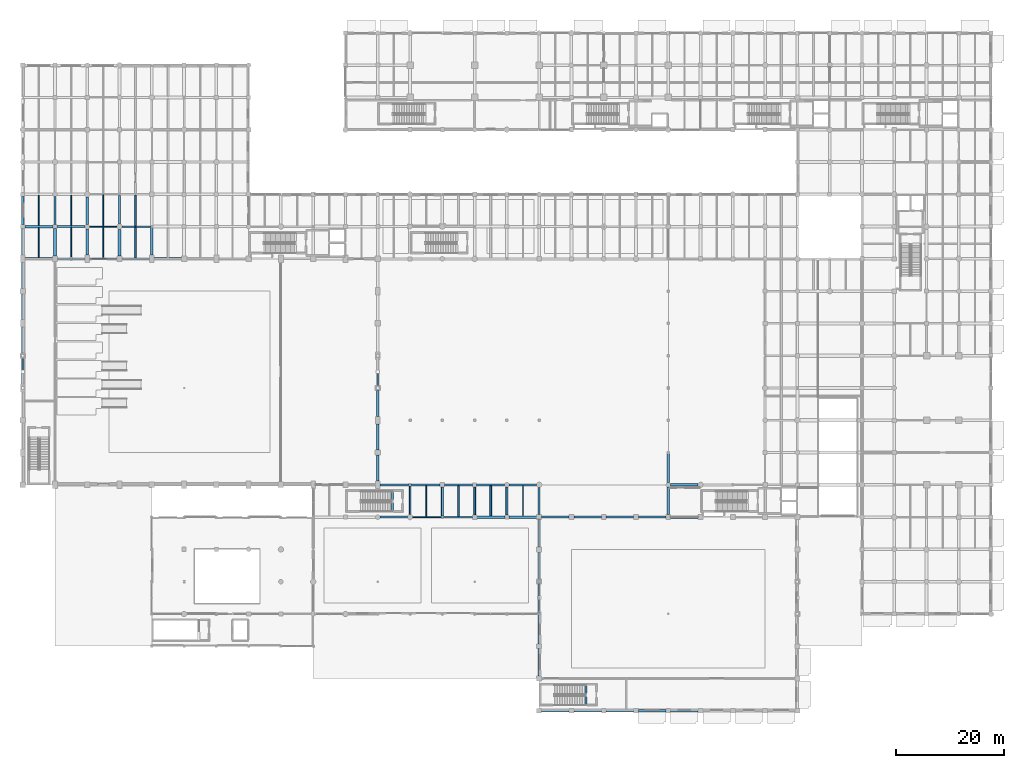
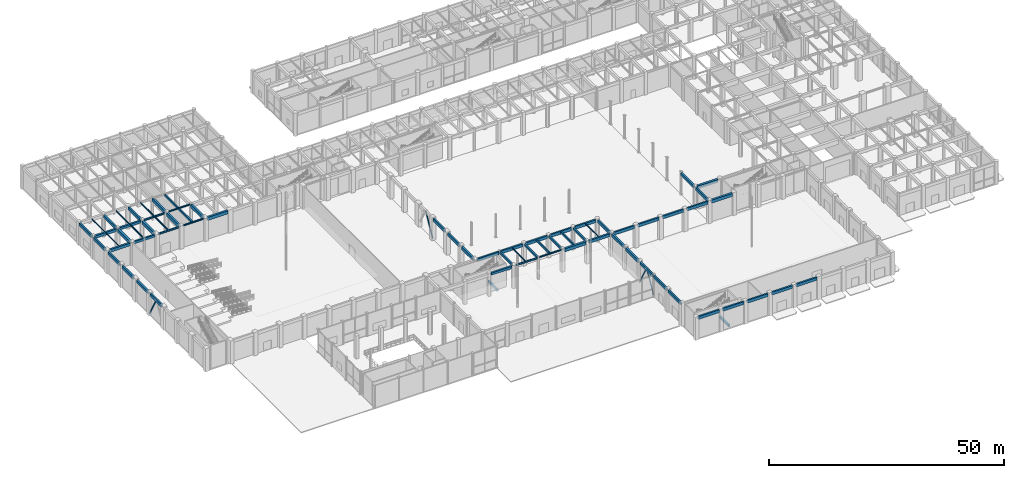
# One storey, part 31 of 106: 72 beams, 4 members.
"""IFC4 building model written with IfcOpenShell, lengths in metres."""

from ifc_helpers import new_model, si_unit, direction, frame, origin, origin_2d, place, context, subcontext, project, spatial, rectangle, hollow_rectangle, i_section, extrude, material, material_profile, profile_set, type_object, element, save


model = new_model("IFC4")

# Units and contexts
model_context = context("Model", 3, precision=1e-05, world=origin(), true_north=direction((0.0, 1.0)))
body_context = subcontext(model_context, "Body", "Model", "MODEL_VIEW")
ifc_project = project(units=[si_unit("LENGTHUNIT", "METRE"), si_unit("AREAUNIT", "SQUARE_METRE"), si_unit("VOLUMEUNIT", "CUBIC_METRE"), si_unit("PLANEANGLEUNIT", "RADIAN"), si_unit("MASSUNIT", "GRAM", prefix="KILO"), si_unit("THERMODYNAMICTEMPERATUREUNIT", "KELVIN"), si_unit("POWERUNIT", "WATT")], contexts=[model_context])

# Site, building, storey
site_placement = place(None, origin())
site = spatial("IfcSite", under=ifc_project, at=site_placement, CompositionType="ELEMENT")
building_placement = place(site_placement, origin())
building = spatial("IfcBuilding", under=site, at=building_placement, Name="Phaisarnlok Congress Hotel", CompositionType="ELEMENT")
storey_placement = place(building_placement, origin())
storey = spatial("IfcBuildingStorey", under=building, at=storey_placement, Name="L00", CompositionType="ELEMENT", Elevation=0.0)

# Beams
ifc_material_1 = material(Name="Concrete C40/50", Category="concrete")
ifc_material_profile_1 = material_profile(ifc_material_1, rectangle(XDim=0.35009765625, YDim=0.550048828125, at=origin_2d()), Name="RC 350x550")
ifc_profile_set_1 = profile_set([ifc_material_profile_1], Name="Concrete C40/50")
beam_type_1 = type_object("IfcBeamType", Name="BM-RC-350x550", PredefinedType="BEAM", material=ifc_profile_set_1)
beam_1_placement = place(storey_placement, frame((72.0, 36.4951171875, 5.465087890625), z_axis=(0.0, 1.0, 0.0), x_axis=(-1.0, 0.0, 0.0)))
element("IfcBeam", 1, at=beam_1_placement, inside=storey, type_object=beam_type_1, Name="Beam B-01", PredefinedType="BEAM", context=body_context, shape_type="SweptSolid", body=[
    extrude(rectangle(XDim=0.35009765625, YDim=0.550048828125, at=origin_2d()), origin(), (0.0, 0.0, 1.0), 5.310302734375),
])
beam_2_placement = place(storey_placement, frame((78.0, 36.194580078125, 5.465087890625), z_axis=(0.0, 1.0, 0.0), x_axis=(-1.0, 0.0, 0.0)))
element("IfcBeam", 2, at=beam_2_placement, inside=storey, type_object=beam_type_1, Name="Beam B-01", PredefinedType="BEAM", context=body_context, shape_type="SweptSolid", body=[
    extrude(rectangle(XDim=0.35009765625, YDim=0.550048828125, at=origin_2d()), origin(), (0.0, 0.0, 1.0), 5.410400390625),
])
beam_3_placement = place(storey_placement, frame((84.0, 36.39501953125, 5.465087890625), z_axis=(0.0, 1.0, 0.0), x_axis=(-1.0, 0.0, 0.0)))
element("IfcBeam", 3, at=beam_3_placement, inside=storey, type_object=beam_type_1, Name="Beam B-01", PredefinedType="BEAM", context=body_context, shape_type="SweptSolid", body=[
    extrude(rectangle(XDim=0.35009765625, YDim=0.550048828125, at=origin_2d()), origin(), (0.0, 0.0, 1.0), 5.23486328125),
])
beam_4_placement = place(storey_placement, frame((90.0, 36.3701171875, 5.465087890625), z_axis=(0.0, 1.0, 0.0), x_axis=(-1.0, 0.0, 0.0)))
element("IfcBeam", 4, at=beam_4_placement, inside=storey, type_object=beam_type_1, Name="Beam B-01", PredefinedType="BEAM", context=body_context, shape_type="SweptSolid", body=[
    extrude(rectangle(XDim=0.35009765625, YDim=0.550048828125, at=origin_2d()), origin(), (0.0, 0.0, 1.0), 5.2099609375),
])
ifc_material_profile_2 = material_profile(ifc_material_1, rectangle(XDim=0.39990234375, YDim=0.60009765625, at=origin_2d()), Name="RC 400x600")
ifc_profile_set_2 = profile_set([ifc_material_profile_2], Name="Concrete C40/50")
beam_type_2 = type_object("IfcBeamType", Name="BM-RC-400x600", PredefinedType="BEAM", material=ifc_profile_set_2)
beam_5_placement = place(storey_placement, frame((6.4951171875, 84.0, 5.43994140625), z_axis=(1.0, 0.0, 0.0), x_axis=(0.0, 1.0, 0.0)))
element("IfcBeam", 5, at=beam_5_placement, inside=storey, type_object=beam_type_2, Name="Beam B-02", PredefinedType="BEAM", context=body_context, shape_type="SweptSolid", body=[
    extrude(rectangle(XDim=0.39990234375, YDim=0.60009765625, at=origin_2d()), origin(), (0.0, 0.0, 1.0), 5.059814453125),
])
beam_6_placement = place(storey_placement, frame((6.3701171875, 90.0, 5.43994140625), z_axis=(1.0, 0.0, 0.0), x_axis=(0.0, 1.0, 0.0)))
element("IfcBeam", 6, at=beam_6_placement, inside=storey, type_object=beam_type_2, Name="Beam B-02", PredefinedType="BEAM", context=body_context, shape_type="SweptSolid", body=[
    extrude(rectangle(XDim=0.39990234375, YDim=0.60009765625, at=origin_2d()), origin(), (0.0, 0.0, 1.0), 5.2099609375),
])
beam_7_placement = place(storey_placement, frame((66.419921875, 36.0, 5.43994140625), z_axis=(1.0, 0.0, 0.0), x_axis=(0.0, 1.0, 0.0)))
element("IfcBeam", 7, at=beam_7_placement, inside=storey, type_object=beam_type_2, Name="Beam B-02", PredefinedType="BEAM", context=body_context, shape_type="SweptSolid", body=[
    extrude(rectangle(XDim=0.39990234375, YDim=0.60009765625, at=origin_2d()), origin(), (0.0, 0.0, 1.0), 5.0849609375),
])
for number, where, z_axis, x_axis, name in (
    (8, (68.719970703125, 37.080078125, -0.300048828125), (0.0, 1.0, 0.0), (-1.0, 0.0, 0.0), "Stair landing header beam B-02 (STAIR-POD-S L00)"),
    (9, (104.719970703125, 1.080078125, -0.300048828125), (0.0, 1.0, 0.0), (-1.0, 0.0, 0.0), "Stair landing header beam B-02 (STAIR-S L00)"),
):
    element("IfcBeam", number, at=place(storey_placement, frame(where, z_axis=z_axis, x_axis=x_axis)), inside=storey, type_object=beam_type_2, Name=name, PredefinedType="BEAM", context=body_context, shape_type="SweptSolid", body=[
        extrude(rectangle(XDim=0.39990234375, YDim=0.60009765625, at=origin_2d()), origin(), (0.0, 0.0, 1.0), 3.83984375),
    ])
ifc_material_profile_3 = material_profile(ifc_material_1, rectangle(XDim=0.449951171875, YDim=0.699951171875, at=origin_2d()), Name="RC 450x700")
ifc_profile_set_3 = profile_set([ifc_material_profile_3], Name="Concrete C40/50")
beam_type_3 = type_object("IfcBeamType", Name="BM-RC-450x700", PredefinedType="BEAM", material=ifc_profile_set_3)
beam_8_placement = place(storey_placement, frame((0.445068359375, 84.0, 5.389892578125), z_axis=(1.0, 0.0, 0.0), x_axis=(0.0, 1.0, 0.0)))
element("IfcBeam", 10, at=beam_8_placement, inside=storey, type_object=beam_type_3, Name="Beam B-03", PredefinedType="BEAM", context=body_context, shape_type="SweptSolid", body=[
    extrude(rectangle(XDim=0.449951171875, YDim=0.699951171875, at=origin_2d()), origin(), (0.0, 0.0, 1.0), 5.059814453125),
])
beam_9_placement = place(storey_placement, frame((0.39501953125, 90.0, 5.389892578125), z_axis=(1.0, 0.0, 0.0), x_axis=(0.0, 1.0, 0.0)))
element("IfcBeam", 11, at=beam_9_placement, inside=storey, type_object=beam_type_3, Name="Beam B-03", PredefinedType="BEAM", context=body_context, shape_type="SweptSolid", body=[
    extrude(rectangle(XDim=0.449951171875, YDim=0.699951171875, at=origin_2d()), origin(), (0.0, 0.0, 1.0), 5.23486328125),
])
beam_10_placement = place(storey_placement, frame((6.0, 90.3701171875, 5.389892578125), z_axis=(0.0, 1.0, 0.0), x_axis=(-1.0, 0.0, 0.0)))
element("IfcBeam", 12, at=beam_10_placement, inside=storey, type_object=beam_type_3, Name="Beam B-03", PredefinedType="BEAM", context=body_context, shape_type="SweptSolid", body=[
    extrude(rectangle(XDim=0.449951171875, YDim=0.699951171875, at=origin_2d()), origin(), (0.0, 0.0, 1.0), 5.2099609375),
])
beam_11_placement = place(storey_placement, frame((12.0, 90.419921875, 5.389892578125), z_axis=(0.0, 1.0, 0.0), x_axis=(-1.0, 0.0, 0.0)))
element("IfcBeam", 13, at=beam_11_placement, inside=storey, type_object=beam_type_3, Name="Beam B-03", PredefinedType="BEAM", context=body_context, shape_type="SweptSolid", body=[
    extrude(rectangle(XDim=0.449951171875, YDim=0.699951171875, at=origin_2d()), origin(), (0.0, 0.0, 1.0), 5.0849609375),
])
beam_12_placement = place(storey_placement, frame((18.0, 90.4951171875, 5.389892578125), z_axis=(0.0, 1.0, 0.0), x_axis=(-1.0, 0.0, 0.0)))
element("IfcBeam", 14, at=beam_12_placement, inside=storey, type_object=beam_type_3, Name="Beam B-03", PredefinedType="BEAM", context=body_context, shape_type="SweptSolid", body=[
    extrude(rectangle(XDim=0.449951171875, YDim=0.699951171875, at=origin_2d()), origin(), (0.0, 0.0, 1.0), 5.310302734375),
])
beam_13_placement = place(storey_placement, frame((90.3701171875, 36.0, 5.389892578125), z_axis=(1.0, 0.0, 0.0), x_axis=(0.0, 1.0, 0.0)))
element("IfcBeam", 15, at=beam_13_placement, inside=storey, type_object=beam_type_3, Name="Beam B-03", PredefinedType="BEAM", context=body_context, shape_type="SweptSolid", body=[
    extrude(rectangle(XDim=0.449951171875, YDim=0.699951171875, at=origin_2d()), origin(), (0.0, 0.0, 1.0), 5.184814453125),
])
beam_14_placement = place(storey_placement, frame((96.0, 30.445068359375, 5.389892578125), z_axis=(0.0, 1.0, 0.0), x_axis=(-1.0, 0.0, 0.0)))
element("IfcBeam", 16, at=beam_14_placement, inside=storey, type_object=beam_type_3, Name="Beam B-03", PredefinedType="BEAM", context=body_context, shape_type="SweptSolid", body=[
    extrude(rectangle(XDim=0.449951171875, YDim=0.699951171875, at=origin_2d()), origin(), (0.0, 0.0, 1.0), 5.10986328125),
])
ifc_material_profile_4 = material_profile(ifc_material_1, rectangle(XDim=0.5, YDim=0.800048828125, at=origin_2d()), Name="RC 500x800")
ifc_profile_set_4 = profile_set([ifc_material_profile_4], Name="Concrete C40/50")
beam_type_4 = type_object("IfcBeamType", Name="BM-RC-500x800", PredefinedType="BEAM", material=ifc_profile_set_4)
beam_15_placement = place(storey_placement, frame((6.0, 84.4951171875, 5.340087890625), z_axis=(0.0, 1.0, 0.0), x_axis=(-1.0, 0.0, 0.0)))
element("IfcBeam", 17, at=beam_15_placement, inside=storey, type_object=beam_type_4, Name="Beam B-04", PredefinedType="BEAM", context=body_context, shape_type="SweptSolid", body=[
    extrude(rectangle(XDim=0.5, YDim=0.800048828125, at=origin_2d()), origin(), (0.0, 0.0, 1.0), 5.134765625),
])
beam_16_placement = place(storey_placement, frame((12.0, 84.695068359375, 5.340087890625), z_axis=(0.0, 1.0, 0.0), x_axis=(-1.0, 0.0, 0.0)))
element("IfcBeam", 18, at=beam_16_placement, inside=storey, type_object=beam_type_4, Name="Beam B-04", PredefinedType="BEAM", context=body_context, shape_type="SweptSolid", body=[
    extrude(rectangle(XDim=0.5, YDim=0.800048828125, at=origin_2d()), origin(), (0.0, 0.0, 1.0), 4.885009765625),
])
beam_17_placement = place(storey_placement, frame((18.0, 84.4951171875, 5.340087890625), z_axis=(0.0, 1.0, 0.0), x_axis=(-1.0, 0.0, 0.0)))
element("IfcBeam", 19, at=beam_17_placement, inside=storey, type_object=beam_type_4, Name="Beam B-04", PredefinedType="BEAM", context=body_context, shape_type="SweptSolid", body=[
    extrude(rectangle(XDim=0.5, YDim=0.800048828125, at=origin_2d()), origin(), (0.0, 0.0, 1.0), 5.009765625),
])
beam_18_placement = place(storey_placement, frame((24.445068359375, 84.0, 5.340087890625), z_axis=(1.0, 0.0, 0.0), x_axis=(0.0, 1.0, 0.0)))
element("IfcBeam", 20, at=beam_18_placement, inside=storey, type_object=beam_type_4, Name="Beam B-04", PredefinedType="BEAM", context=body_context, shape_type="SweptSolid", body=[
    extrude(rectangle(XDim=0.5, YDim=0.800048828125, at=origin_2d()), origin(), (0.0, 0.0, 1.0), 5.059814453125),
])
beam_19_placement = place(storey_placement, frame((24.0, 84.695068359375, 5.340087890625), z_axis=(0.0, 1.0, 0.0), x_axis=(-1.0, 0.0, 0.0)))
element("IfcBeam", 21, at=beam_19_placement, inside=storey, type_object=beam_type_4, Name="Beam B-04", PredefinedType="BEAM", context=body_context, shape_type="SweptSolid", body=[
    extrude(rectangle(XDim=0.5, YDim=0.800048828125, at=origin_2d()), origin(), (0.0, 0.0, 1.0), 5.1103515625),
])
beam_20_placement = place(storey_placement, frame((84.39501953125, 36.0, 5.340087890625), z_axis=(1.0, 0.0, 0.0), x_axis=(0.0, 1.0, 0.0)))
element("IfcBeam", 22, at=beam_20_placement, inside=storey, type_object=beam_type_4, Name="Beam B-04", PredefinedType="BEAM", context=body_context, shape_type="SweptSolid", body=[
    extrude(rectangle(XDim=0.5, YDim=0.800048828125, at=origin_2d()), origin(), (0.0, 0.0, 1.0), 5.23486328125),
])
for number, where, z_axis, x_axis, name in (
    (23, (96.0, 24.445068359375, 5.340087890625), (0.0, 1.0, 0.0), (-1.0, 0.0, 0.0), "Beam B-04"),
    (24, (120.445068359375, 36.0, 5.340087890625), (1.0, 0.0, 0.0), (0.0, 1.0, 0.0), "Beam B-04"),
):
    element("IfcBeam", number, at=place(storey_placement, frame(where, z_axis=z_axis, x_axis=x_axis)), inside=storey, type_object=beam_type_4, Name=name, PredefinedType="BEAM", context=body_context, shape_type="SweptSolid", body=[
        extrude(rectangle(XDim=0.5, YDim=0.800048828125, at=origin_2d()), origin(), (0.0, 0.0, 1.0), 5.10986328125),
    ])
beam_21_placement = place(storey_placement, frame((120.419921875, 42.0, 5.360107421875), z_axis=(1.0, 0.0, 0.0), x_axis=(0.0, 1.0, 0.0)))
element("IfcBeam", 25, at=beam_21_placement, inside=storey, type_object=beam_type_4, Name="Beam B-04", PredefinedType="BEAM", context=body_context, shape_type="SweptSolid", body=[
    extrude(rectangle(XDim=0.5, YDim=0.800048828125, at=origin_2d()), origin(), (0.0, 0.0, 1.0), 5.0849609375),
])
ifc_material_2 = material(Name="Steel S355", Category="steel")
ifc_material_profile_5 = material_profile(ifc_material_2, i_section(OverallWidth=0.300048828125, OverallDepth=0.2900390625, WebThickness=0.008544921875, FlangeThickness=0.013916015625, FilletRadius=0.027099609375, at=origin_2d()), Name="HEA 300")
ifc_profile_set_5 = profile_set([ifc_material_profile_5], Name="Steel S355")
beam_type_5 = type_object("IfcBeamType", Name="BM-STL-HEA300", PredefinedType="BEAM", material=ifc_profile_set_5)
beam_22_placement = place(storey_placement, frame((18.4951171875, 84.0, 5.594970703125), z_axis=(1.0, 0.0, 0.0), x_axis=(0.0, 1.0, 0.0)))
element("IfcBeam", 26, at=beam_22_placement, inside=storey, type_object=beam_type_5, Name="Beam SB-05", PredefinedType="BEAM", context=body_context, shape_type="SweptSolid", body=[
    extrude(i_section(OverallWidth=0.300048828125, OverallDepth=0.2900390625, WebThickness=0.008544921875, FlangeThickness=0.013916015625, FilletRadius=0.027099609375, at=origin_2d()), origin(), (0.0, 0.0, 1.0), 5.059814453125),
])
beam_23_placement = place(storey_placement, frame((18.4951171875, 90.0, 5.594970703125), z_axis=(1.0, 0.0, 0.0), x_axis=(0.0, 1.0, 0.0)))
element("IfcBeam", 27, at=beam_23_placement, inside=storey, type_object=beam_type_5, Name="Beam SB-05", PredefinedType="BEAM", context=body_context, shape_type="SweptSolid", body=[
    extrude(i_section(OverallWidth=0.300048828125, OverallDepth=0.2900390625, WebThickness=0.008544921875, FlangeThickness=0.013916015625, FilletRadius=0.027099609375, at=origin_2d()), origin(), (0.0, 0.0, 1.0), 5.309326171875),
])
beam_24_placement = place(storey_placement, frame((78.195556640625, 36.0, 5.594970703125), z_axis=(1.0, 0.0, 0.0), x_axis=(0.0, 1.0, 0.0)))
element("IfcBeam", 28, at=beam_24_placement, inside=storey, type_object=beam_type_5, Name="Beam SB-05", PredefinedType="BEAM", context=body_context, shape_type="SweptSolid", body=[
    extrude(i_section(OverallWidth=0.300048828125, OverallDepth=0.2900390625, WebThickness=0.008544921875, FlangeThickness=0.013916015625, FilletRadius=0.027099609375, at=origin_2d()), origin(), (0.0, 0.0, 1.0), 5.409423828125),
])
ifc_material_profile_6 = material_profile(ifc_material_2, i_section(OverallWidth=0.18994140625, OverallDepth=0.449951171875, WebThickness=0.009521484375, FlangeThickness=0.0146484375, FilletRadius=0.02099609375, at=origin_2d()), Name="IPE 450")
ifc_profile_set_6 = profile_set([ifc_material_profile_6], Name="Steel S355")
beam_type_6 = type_object("IfcBeamType", Name="BM-STL-IPE450", PredefinedType="BEAM", material=ifc_profile_set_6)
beam_25_placement = place(storey_placement, frame((12.445068359375, 84.0, 5.514892578125), z_axis=(1.0, 0.0, 0.0), x_axis=(0.0, 1.0, 0.0)))
element("IfcBeam", 29, at=beam_25_placement, inside=storey, type_object=beam_type_6, Name="Beam SB-01", PredefinedType="BEAM", context=body_context, shape_type="SweptSolid", body=[
    extrude(i_section(OverallWidth=0.18994140625, OverallDepth=0.449951171875, WebThickness=0.009521484375, FlangeThickness=0.0146484375, FilletRadius=0.02099609375, at=origin_2d()), origin(), (0.0, 0.0, 1.0), 5.059814453125),
])
beam_26_placement = place(storey_placement, frame((12.419921875, 90.0, 5.514892578125), z_axis=(1.0, 0.0, 0.0), x_axis=(0.0, 1.0, 0.0)))
element("IfcBeam", 30, at=beam_26_placement, inside=storey, type_object=beam_type_6, Name="Beam SB-01", PredefinedType="BEAM", context=body_context, shape_type="SweptSolid", body=[
    extrude(i_section(OverallWidth=0.18994140625, OverallDepth=0.449951171875, WebThickness=0.009521484375, FlangeThickness=0.0146484375, FilletRadius=0.02099609375, at=origin_2d()), origin(), (0.0, 0.0, 1.0), 5.0849609375),
])
beam_27_placement = place(storey_placement, frame((72.4951171875, 36.0, 5.514892578125), z_axis=(1.0, 0.0, 0.0), x_axis=(0.0, 1.0, 0.0)))
element("IfcBeam", 31, at=beam_27_placement, inside=storey, type_object=beam_type_6, Name="Beam SB-01", PredefinedType="BEAM", context=body_context, shape_type="SweptSolid", body=[
    extrude(i_section(OverallWidth=0.18994140625, OverallDepth=0.449951171875, WebThickness=0.009521484375, FlangeThickness=0.0146484375, FilletRadius=0.02099609375, at=origin_2d()), origin(), (0.0, 0.0, 1.0), 5.309326171875),
])
ifc_material_profile_7 = material_profile(ifc_material_1, rectangle(XDim=0.300048828125, YDim=0.5, at=origin_2d()), Name="RC 300x500")
ifc_profile_set_7 = profile_set([ifc_material_profile_7], Name="Concrete C40/50")
beam_type_7 = type_object("IfcBeamType", Name="JS-RC-300x500", PredefinedType="JOIST", material=ifc_profile_set_7)
for number, where, z_axis, x_axis, name in (
    (32, (21.0, 84.14501953125, 5.489990234375), (0.0, 1.0, 0.0), (-1.0, 0.0, 0.0), "Secondary floor joist J-01"),
    (33, (21.0, 90.14501953125, 5.489990234375), (0.0, 1.0, 0.0), (-1.0, 0.0, 0.0), "Secondary floor joist J-01"),
):
    element("IfcBeam", number, at=place(storey_placement, frame(where, z_axis=z_axis, x_axis=x_axis)), inside=storey, type_object=beam_type_7, Name=name, PredefinedType="JOIST", context=body_context, shape_type="SweptSolid", body=[
        extrude(rectangle(XDim=0.300048828125, YDim=0.5, at=origin_2d()), origin(), (0.0, 0.0, 1.0), 5.7099609375),
    ])
beam_28_placement = place(storey_placement, frame((81.0, 36.14501953125, 5.489990234375), z_axis=(0.0, 1.0, 0.0), x_axis=(-1.0, 0.0, 0.0)))
element("IfcBeam", 34, at=beam_28_placement, inside=storey, type_object=beam_type_7, Name="Secondary floor joist J-01", PredefinedType="JOIST", context=body_context, shape_type="SweptSolid", body=[
    extrude(rectangle(XDim=0.300048828125, YDim=0.5, at=origin_2d()), origin(), (0.0, 0.0, 1.0), 5.659912109375),
])
beam_29_placement = place(storey_placement, frame((87.0, 36.2451171875, 5.489990234375), z_axis=(0.0, 1.0, 0.0), x_axis=(-1.0, 0.0, 0.0)))
element("IfcBeam", 35, at=beam_29_placement, inside=storey, type_object=beam_type_7, Name="Secondary floor joist J-01", PredefinedType="JOIST", context=body_context, shape_type="SweptSolid", body=[
    extrude(rectangle(XDim=0.300048828125, YDim=0.5, at=origin_2d()), origin(), (0.0, 0.0, 1.0), 5.559814453125),
])
ifc_material_profile_8 = material_profile(ifc_material_2, i_section(OverallWidth=0.135009765625, OverallDepth=0.27001953125, WebThickness=0.006591796875, FlangeThickness=0.01025390625, FilletRadius=0.014892578125, at=origin_2d()), Name="IPE 270")
ifc_profile_set_8 = profile_set([ifc_material_profile_8], Name="Steel S355")
beam_type_8 = type_object("IfcBeamType", Name="JS-STL-IPE270", PredefinedType="JOIST", material=ifc_profile_set_8)
for number, where, z_axis, x_axis, name in (
    (36, (3.0, 84.219970703125, 5.60498046875), (0.0, 1.0, 0.0), (-1.0, 0.0, 0.0), "Secondary floor joist J-02"),
    (37, (3.0, 90.219970703125, 5.60498046875), (0.0, 1.0, 0.0), (-1.0, 0.0, 0.0), "Secondary floor joist J-02"),
):
    element("IfcBeam", number, at=place(storey_placement, frame(where, z_axis=z_axis, x_axis=x_axis)), inside=storey, type_object=beam_type_8, Name=name, PredefinedType="JOIST", context=body_context, shape_type="SweptSolid", body=[
        extrude(i_section(OverallWidth=0.135009765625, OverallDepth=0.27001953125, WebThickness=0.006591796875, FlangeThickness=0.01025390625, FilletRadius=0.014892578125, at=origin_2d()), origin(), (0.0, 0.0, 1.0), 5.56005859375),
    ])
ifc_material_profile_9 = material_profile(ifc_material_2, i_section(OverallWidth=0.14990234375, OverallDepth=0.300048828125, WebThickness=0.007080078125, FlangeThickness=0.0107421875, FilletRadius=0.014892578125, at=origin_2d()), Name="IPE 300")
ifc_profile_set_9 = profile_set([ifc_material_profile_9], Name="Steel S355")
beam_type_9 = type_object("IfcBeamType", Name="JS-STL-IPE300", PredefinedType="JOIST", material=ifc_profile_set_9)
beam_30_placement = place(storey_placement, frame((93.0, 36.219970703125, 5.590087890625), z_axis=(0.0, 1.0, 0.0), x_axis=(-1.0, 0.0, 0.0)))
element("IfcBeam", 38, at=beam_30_placement, inside=storey, type_object=beam_type_9, Name="Secondary floor joist J-03", PredefinedType="JOIST", context=body_context, shape_type="SweptSolid", body=[
    extrude(i_section(OverallWidth=0.14990234375, OverallDepth=0.300048828125, WebThickness=0.007080078125, FlangeThickness=0.0107421875, FilletRadius=0.014892578125, at=origin_2d()), origin(), (0.0, 0.0, 1.0), 5.5849609375),
])
ifc_material_profile_10 = material_profile(ifc_material_2, i_section(OverallWidth=0.169921875, OverallDepth=0.360107421875, WebThickness=0.008056640625, FlangeThickness=0.0126953125, FilletRadius=0.01806640625, at=origin_2d()), Name="IPE 360")
ifc_profile_set_10 = profile_set([ifc_material_profile_10], Name="Steel S355")
beam_type_10 = type_object("IfcBeamType", Name="JS-STL-IPE360", PredefinedType="JOIST", material=ifc_profile_set_10)
for number, where, z_axis, x_axis, name in (
    (39, (9.0, 84.195068359375, 5.56005859375), (0.0, 1.0, 0.0), (-1.0, 0.0, 0.0), "Secondary floor joist J-04"),
    (40, (9.0, 90.195068359375, 5.56005859375), (0.0, 1.0, 0.0), (-1.0, 0.0, 0.0), "Secondary floor joist J-04"),
):
    element("IfcBeam", number, at=place(storey_placement, frame(where, z_axis=z_axis, x_axis=x_axis)), inside=storey, type_object=beam_type_10, Name=name, PredefinedType="JOIST", context=body_context, shape_type="SweptSolid", body=[
        extrude(i_section(OverallWidth=0.169921875, OverallDepth=0.360107421875, WebThickness=0.008056640625, FlangeThickness=0.0126953125, FilletRadius=0.01806640625, at=origin_2d()), origin(), (0.0, 0.0, 1.0), 5.60986328125),
    ])
for number, where, z_axis, x_axis, name in (
    (41, (15.0, 84.090087890625, 5.56005859375), (0.0, 1.0, 0.0), (-1.0, 0.0, 0.0), "Secondary floor joist J-04"),
    (42, (15.0, 90.090087890625, 5.56005859375), (0.0, 1.0, 0.0), (-1.0, 0.0, 0.0), "Secondary floor joist J-04"),
):
    element("IfcBeam", number, at=place(storey_placement, frame(where, z_axis=z_axis, x_axis=x_axis)), inside=storey, type_object=beam_type_10, Name=name, PredefinedType="JOIST", context=body_context, shape_type="SweptSolid", body=[
        extrude(i_section(OverallWidth=0.169921875, OverallDepth=0.360107421875, WebThickness=0.008056640625, FlangeThickness=0.0126953125, FilletRadius=0.01806640625, at=origin_2d()), origin(), (0.0, 0.0, 1.0), 5.81982421875),
    ])
beam_31_placement = place(storey_placement, frame((75.0, 36.090087890625, 5.56005859375), z_axis=(0.0, 1.0, 0.0), x_axis=(-1.0, 0.0, 0.0)))
element("IfcBeam", 43, at=beam_31_placement, inside=storey, type_object=beam_type_10, Name="Secondary floor joist J-04", PredefinedType="JOIST", context=body_context, shape_type="SweptSolid", body=[
    extrude(i_section(OverallWidth=0.169921875, OverallDepth=0.360107421875, WebThickness=0.008056640625, FlangeThickness=0.0126953125, FilletRadius=0.01806640625, at=origin_2d()), origin(), (0.0, 0.0, 1.0), 5.71484375),
])

# Members
ifc_material_profile_11 = material_profile(ifc_material_2, hollow_rectangle(XDim=0.219970703125, YDim=0.219970703125, WallThickness=0.012451171875, at=origin_2d()), Name="SHS 220x220x12.5")
ifc_profile_set_11 = profile_set([ifc_material_profile_11], Name="Steel S355")
member_type_1 = type_object("IfcMemberType", Name="MEM-BRC-SHS220", PredefinedType="BRACE", material=ifc_profile_set_11)
member_1_placement = place(storey_placement, frame((66.0, 60.0, 0.14990234375), z_axis=(0.0, 0.480857843522, 0.876798571123), x_axis=(-1.0, 0.0, 0.0)))
element("IfcMember", 44, at=member_1_placement, inside=storey, type_object=member_type_1, Name="Lateral braced frame diagonal", PredefinedType="BRACE", context=body_context, shape_type="SweptSolid", body=[
    extrude(hollow_rectangle(XDim=0.219970703125, YDim=0.219970703125, WallThickness=0.012451171875, at=origin_2d()), origin(), (0.0, 0.0, 1.0), 6.23876953125),
])
member_2_placement = place(storey_placement, frame((96.0, 18.169921875, 0.449951171875), z_axis=(0.0, 0.480157564065, 0.877182257955), x_axis=(-1.0, 0.0, 0.0)))
element("IfcMember", 45, at=member_2_placement, inside=storey, type_object=member_type_1, Name="Lateral braced frame diagonal", PredefinedType="BRACE", context=body_context, shape_type="SweptSolid", body=[
    extrude(hollow_rectangle(XDim=0.219970703125, YDim=0.219970703125, WallThickness=0.012451171875, at=origin_2d()), origin(), (0.0, 0.0, 1.0), 5.89404296875),
])
member_3_placement = place(storey_placement, frame((96.0, 24.0, 0.14990234375), z_axis=(0.0, -0.480857843522, 0.876798571123), x_axis=(1.0, 0.0, 0.0)))
element("IfcMember", 46, at=member_3_placement, inside=storey, type_object=member_type_1, Name="Lateral braced frame diagonal", PredefinedType="BRACE", context=body_context, shape_type="SweptSolid", body=[
    extrude(hollow_rectangle(XDim=0.219970703125, YDim=0.219970703125, WallThickness=0.012451171875, at=origin_2d()), origin(), (0.0, 0.0, 1.0), 6.23876953125),
])
ifc_material_profile_12 = material_profile(ifc_material_2, hollow_rectangle(XDim=0.260009765625, YDim=0.260009765625, WallThickness=0.01611328125, at=origin_2d()), Name="SHS 260x260x16")
ifc_profile_set_12 = profile_set([ifc_material_profile_12], Name="Steel S355")
member_type_2 = type_object("IfcMemberType", Name="MEM-BRC-SHS260-EXT", PredefinedType="BRACE", material=ifc_profile_set_12)
member_4_placement = place(storey_placement, frame((0.0, 66.0, 0.14990234375), z_axis=(0.0, -0.480857843522, 0.876798571123), x_axis=(1.0, 0.0, 0.0)))
element("IfcMember", 47, at=member_4_placement, inside=storey, type_object=member_type_2, Name="Lateral braced frame diagonal", PredefinedType="BRACE", context=body_context, shape_type="SweptSolid", body=[
    extrude(hollow_rectangle(XDim=0.260009765625, YDim=0.260009765625, WallThickness=0.01611328125, at=origin_2d()), origin(), (0.0, 0.0, 1.0), 6.23876953125),
])

# Beams
ifc_material_profile_13 = material_profile(ifc_material_1, rectangle(XDim=0.39990234375, YDim=0.75, at=origin_2d()), Name="RC 400x750")
ifc_profile_set_13 = profile_set([ifc_material_profile_13], Name="Concrete C40/50")
beam_type_11 = type_object("IfcBeamType", Name="SP-RC-400x750", PredefinedType="SPANDREL", material=ifc_profile_set_13)
for number, where, z_axis, x_axis, name in (
    (48, (0.0, 60.695068359375, 5.364990234375), (0.0, 1.0, 0.0), (-1.0, 0.0, 0.0), "Beam SP-02"),
    (49, (0.0, 66.4951171875, 5.364990234375), (0.0, 1.0, 0.0), (-1.0, 0.0, 0.0), "Beam SP-02"),
    (50, (0.0, 72.695068359375, 5.364990234375), (0.0, 1.0, 0.0), (-1.0, 0.0, 0.0), "Beam SP-02"),
    (51, (0.0, 78.4951171875, 5.364990234375), (0.0, 1.0, 0.0), (-1.0, 0.0, 0.0), "Beam SP-02"),
):
    element("IfcBeam", number, at=place(storey_placement, frame(where, z_axis=z_axis, x_axis=x_axis)), inside=storey, type_object=beam_type_11, Name=name, PredefinedType="SPANDREL", context=body_context, shape_type="SweptSolid", body=[
        extrude(rectangle(XDim=0.39990234375, YDim=0.75, at=origin_2d()), origin(), (0.0, 0.0, 1.0), 4.809814453125),
    ])
beam_32_placement = place(storey_placement, frame((0.0, 84.695068359375, 5.364990234375), z_axis=(0.0, 1.0, 0.0), x_axis=(-1.0, 0.0, 0.0)))
element("IfcBeam", 52, at=beam_32_placement, inside=storey, type_object=beam_type_11, Name="Beam SP-02", PredefinedType="SPANDREL", context=body_context, shape_type="SweptSolid", body=[
    extrude(rectangle(XDim=0.39990234375, YDim=0.75, at=origin_2d()), origin(), (0.0, 0.0, 1.0), 4.909912109375),
])
beam_33_placement = place(storey_placement, frame((0.0, 90.39501953125, 5.364990234375), z_axis=(0.0, 1.0, 0.0), x_axis=(-1.0, 0.0, 0.0)))
element("IfcBeam", 53, at=beam_33_placement, inside=storey, type_object=beam_type_11, Name="Beam SP-02", PredefinedType="SPANDREL", context=body_context, shape_type="SweptSolid", body=[
    extrude(rectangle(XDim=0.39990234375, YDim=0.75, at=origin_2d()), origin(), (0.0, 0.0, 1.0), 5.23486328125),
])
beam_34_placement = place(storey_placement, frame((66.445068359375, 42.0, 5.364990234375), z_axis=(1.0, 0.0, 0.0), x_axis=(0.0, 1.0, 0.0)))
element("IfcBeam", 54, at=beam_34_placement, inside=storey, type_object=beam_type_11, Name="Beam SP-02", PredefinedType="SPANDREL", context=body_context, shape_type="SweptSolid", body=[
    extrude(rectangle(XDim=0.39990234375, YDim=0.75, at=origin_2d()), origin(), (0.0, 0.0, 1.0), 5.359375),
])
for number, where, z_axis, x_axis, name in (
    (55, (66.0, 42.695068359375, 5.364990234375), (0.0, 1.0, 0.0), (-1.0, 0.0, 0.0), "Beam SP-02"),
    (56, (66.0, 48.4951171875, 5.364990234375), (0.0, 1.0, 0.0), (-1.0, 0.0, 0.0), "Beam SP-02"),
    (57, (66.0, 54.695068359375, 5.364990234375), (0.0, 1.0, 0.0), (-1.0, 0.0, 0.0), "Beam SP-02"),
):
    element("IfcBeam", number, at=place(storey_placement, frame(where, z_axis=z_axis, x_axis=x_axis)), inside=storey, type_object=beam_type_11, Name=name, PredefinedType="SPANDREL", context=body_context, shape_type="SweptSolid", body=[
        extrude(rectangle(XDim=0.39990234375, YDim=0.75, at=origin_2d()), origin(), (0.0, 0.0, 1.0), 4.809814453125),
    ])
beam_35_placement = place(storey_placement, frame((72.195556640625, 42.0, 5.364990234375), z_axis=(1.0, 0.0, 0.0), x_axis=(0.0, 1.0, 0.0)))
element("IfcBeam", 58, at=beam_35_placement, inside=storey, type_object=beam_type_11, Name="Beam SP-02", PredefinedType="SPANDREL", context=body_context, shape_type="SweptSolid", body=[
    extrude(rectangle(XDim=0.39990234375, YDim=0.75, at=origin_2d()), origin(), (0.0, 0.0, 1.0), 5.409423828125),
])
beam_36_placement = place(storey_placement, frame((78.39501953125, 42.0, 5.364990234375), z_axis=(1.0, 0.0, 0.0), x_axis=(0.0, 1.0, 0.0)))
element("IfcBeam", 59, at=beam_36_placement, inside=storey, type_object=beam_type_11, Name="Beam SP-02", PredefinedType="SPANDREL", context=body_context, shape_type="SweptSolid", body=[
    extrude(rectangle(XDim=0.39990234375, YDim=0.75, at=origin_2d()), origin(), (0.0, 0.0, 1.0), 5.23486328125),
])
beam_37_placement = place(storey_placement, frame((84.3701171875, 42.0, 5.364990234375), z_axis=(1.0, 0.0, 0.0), x_axis=(0.0, 1.0, 0.0)))
element("IfcBeam", 60, at=beam_37_placement, inside=storey, type_object=beam_type_11, Name="Beam SP-02", PredefinedType="SPANDREL", context=body_context, shape_type="SweptSolid", body=[
    extrude(rectangle(XDim=0.39990234375, YDim=0.75, at=origin_2d()), origin(), (0.0, 0.0, 1.0), 5.2099609375),
])
beam_38_placement = place(storey_placement, frame((90.419921875, 42.0, 5.364990234375), z_axis=(1.0, 0.0, 0.0), x_axis=(0.0, 1.0, 0.0)))
element("IfcBeam", 61, at=beam_38_placement, inside=storey, type_object=beam_type_11, Name="Beam SP-02", PredefinedType="SPANDREL", context=body_context, shape_type="SweptSolid", body=[
    extrude(rectangle(XDim=0.39990234375, YDim=0.75, at=origin_2d()), origin(), (0.0, 0.0, 1.0), 5.0849609375),
])
for number, where, z_axis, x_axis, name in (
    (62, (96.445068359375, 0.0, 5.364990234375), (1.0, 0.0, 0.0), (0.0, 1.0, 0.0), "Beam SP-02"),
    (63, (96.0, 6.445068359375, 5.364990234375), (0.0, 1.0, 0.0), (-1.0, 0.0, 0.0), "Beam SP-02"),
):
    element("IfcBeam", number, at=place(storey_placement, frame(where, z_axis=z_axis, x_axis=x_axis)), inside=storey, type_object=beam_type_11, Name=name, PredefinedType="SPANDREL", context=body_context, shape_type="SweptSolid", body=[
        extrude(rectangle(XDim=0.39990234375, YDim=0.75, at=origin_2d()), origin(), (0.0, 0.0, 1.0), 5.10986328125),
    ])
for number, where, z_axis, x_axis, name in (
    (64, (96.0, 12.445068359375, 5.364990234375), (0.0, 1.0, 0.0), (-1.0, 0.0, 0.0), "Beam SP-02"),
    (65, (96.0, 18.1982421875, 5.364990234375), (0.0, 1.0, 0.0), (-1.0, 0.0, 0.0), "Beam SP-02"),
):
    element("IfcBeam", number, at=place(storey_placement, frame(where, z_axis=z_axis, x_axis=x_axis)), inside=storey, type_object=beam_type_11, Name=name, PredefinedType="SPANDREL", context=body_context, shape_type="SweptSolid", body=[
        extrude(rectangle(XDim=0.39990234375, YDim=0.75, at=origin_2d()), origin(), (0.0, 0.0, 1.0), 5.356689453125),
    ])
beam_39_placement = place(storey_placement, frame((96.445068359375, 36.0, 5.364990234375), z_axis=(1.0, 0.0, 0.0), x_axis=(0.0, 1.0, 0.0)))
element("IfcBeam", 66, at=beam_39_placement, inside=storey, type_object=beam_type_11, Name="Beam SP-02", PredefinedType="SPANDREL", context=body_context, shape_type="SweptSolid", body=[
    extrude(rectangle(XDim=0.39990234375, YDim=0.75, at=origin_2d()), origin(), (0.0, 0.0, 1.0), 5.10986328125),
])
beam_40_placement = place(storey_placement, frame((96.0, 36.445068359375, 5.364990234375), z_axis=(0.0, 1.0, 0.0), x_axis=(-1.0, 0.0, 0.0)))
element("IfcBeam", 67, at=beam_40_placement, inside=storey, type_object=beam_type_11, Name="Beam SP-02", PredefinedType="SPANDREL", context=body_context, shape_type="SweptSolid", body=[
    extrude(rectangle(XDim=0.39990234375, YDim=0.75, at=origin_2d()), origin(), (0.0, 0.0, 1.0), 5.059814453125),
])
for number, where, z_axis, x_axis, name in (
    (68, (102.445068359375, 0.0, 5.364990234375), (1.0, 0.0, 0.0), (0.0, 1.0, 0.0), "Beam SP-02"),
    (69, (102.445068359375, 36.0, 5.364990234375), (1.0, 0.0, 0.0), (0.0, 1.0, 0.0), "Beam SP-02"),
    (70, (108.445068359375, 0.0, 5.364990234375), (1.0, 0.0, 0.0), (0.0, 1.0, 0.0), "Beam SP-02"),
    (71, (108.445068359375, 36.0, 5.364990234375), (1.0, 0.0, 0.0), (0.0, 1.0, 0.0), "Beam SP-02"),
    (72, (114.445068359375, 0.0, 5.364990234375), (1.0, 0.0, 0.0), (0.0, 1.0, 0.0), "Beam SP-02"),
    (73, (114.445068359375, 36.0, 5.364990234375), (1.0, 0.0, 0.0), (0.0, 1.0, 0.0), "Beam SP-02"),
    (74, (120.445068359375, 0.0, 5.364990234375), (1.0, 0.0, 0.0), (0.0, 1.0, 0.0), "Beam SP-02"),
):
    element("IfcBeam", number, at=place(storey_placement, frame(where, z_axis=z_axis, x_axis=x_axis)), inside=storey, type_object=beam_type_11, Name=name, PredefinedType="SPANDREL", context=body_context, shape_type="SweptSolid", body=[
        extrude(rectangle(XDim=0.39990234375, YDim=0.75, at=origin_2d()), origin(), (0.0, 0.0, 1.0), 5.10986328125),
    ])
beam_41_placement = place(storey_placement, frame((120.0, 36.445068359375, 5.385009765625), z_axis=(0.0, 1.0, 0.0), x_axis=(-1.0, 0.0, 0.0)))
element("IfcBeam", 75, at=beam_41_placement, inside=storey, type_object=beam_type_11, Name="Beam SP-02", PredefinedType="SPANDREL", context=body_context, shape_type="SweptSolid", body=[
    extrude(rectangle(XDim=0.39990234375, YDim=0.75, at=origin_2d()), origin(), (0.0, 0.0, 1.0), 5.135009765625),
])
beam_42_placement = place(storey_placement, frame((120.0, 42.419921875, 5.385009765625), z_axis=(0.0, 1.0, 0.0), x_axis=(-1.0, 0.0, 0.0)))
element("IfcBeam", 76, at=beam_42_placement, inside=storey, type_object=beam_type_11, Name="Beam SP-02", PredefinedType="SPANDREL", context=body_context, shape_type="SweptSolid", body=[
    extrude(rectangle(XDim=0.39990234375, YDim=0.75, at=origin_2d()), origin(), (0.0, 0.0, 1.0), 5.3818359375),
])

save(model, "model.ifc")
